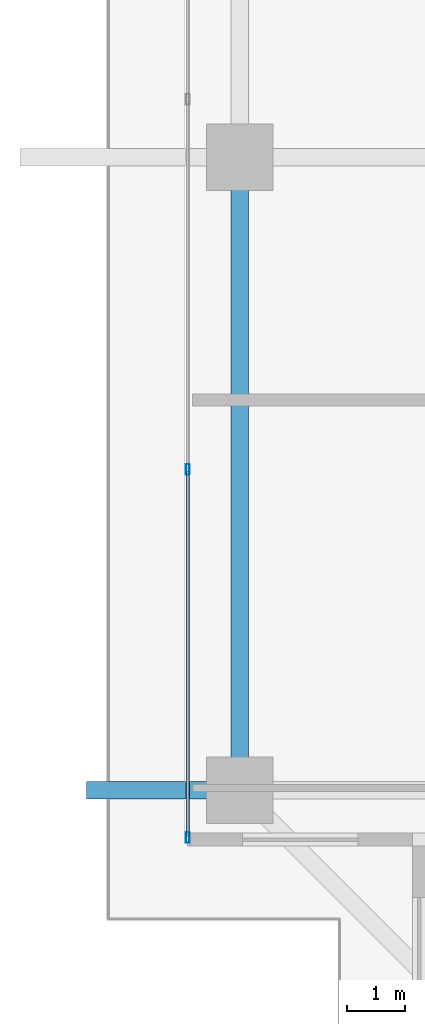
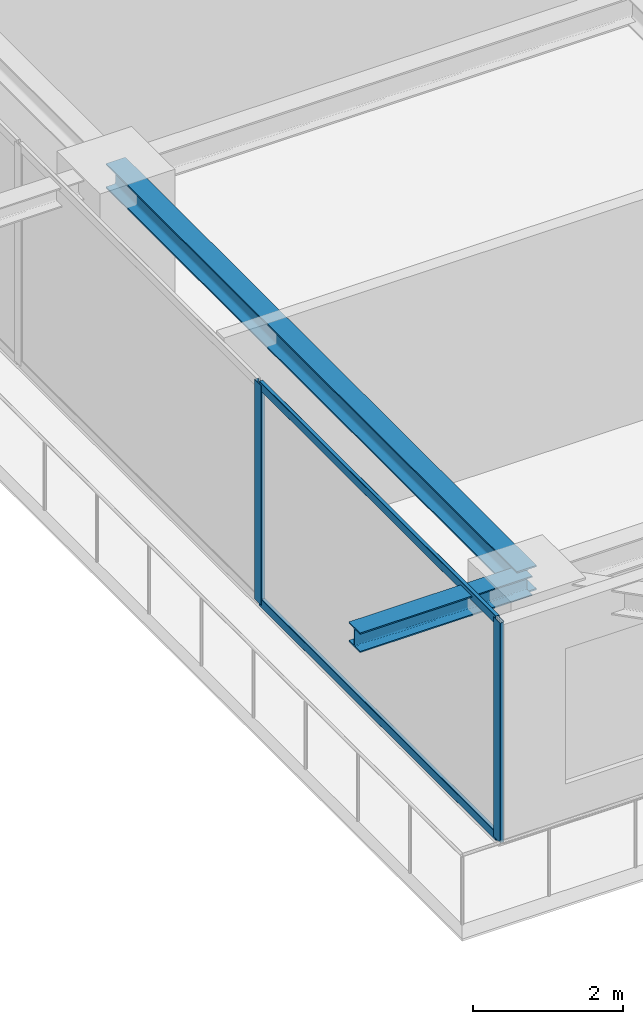
# One storey, part 3 of 38: 4 members, 2 beams, 1 element without a shape of its own.
"""IFC4 building model written with IfcOpenShell, lengths in metres."""

import ifcopenshell
import ifcopenshell.guid

model = None  # the IFC model being written
_history = None  # IfcOwnerHistory: only IFC2X3 demands one
_inside = {}  # id of a spatial element -> (the spatial element, [elements in it])
_under = {}  # id of a project, library or spatial element -> (it, [spatial elements below it])
_declared = {}  # id of a project -> (the project, [libraries it declares])
_typed = {}  # id of a type object -> (the type object, [elements of that type])
_made_of = {}  # id of a material, layer set ... -> (it, [elements and type objects made of it])


def new_model(schema):
    """Start an empty IFC model of exactly this schema.

    Asked for "IFC4X3", IfcOpenShell would pick the latest addendum, in which some entities
    have other attributes; the version numbers below select the first issue.
    IFC2X3 requires an IfcOwnerHistory on every rooted entity: one is made here for all.
    """
    global model, _history
    if schema == "IFC4X3":
        model = ifcopenshell.file(schema_version=(4, 3, 0, 0))
    else:
        model = ifcopenshell.file(schema=schema)
    _inside.clear()
    _under.clear()
    _declared.clear()
    _typed.clear()
    _made_of.clear()
    _history = None
    if model.schema == "IFC2X3":
        org = make("IfcOrganization", Name="unknown")
        user = make(
            "IfcPersonAndOrganization",
            ThePerson=make("IfcPerson", FamilyName="unknown"),
            TheOrganization=org,
        )
        app = make(
            "IfcApplication",
            ApplicationDeveloper=org,
            Version="unknown",
            ApplicationFullName="unknown",
            ApplicationIdentifier="unknown",
        )
        _history = make(
            "IfcOwnerHistory",
            OwningUser=user,
            OwningApplication=app,
            ChangeAction="ADDED",
            CreationDate=0,
        )
    return model


def make(cls, **values):
    """One entity of the class cls with the attributes given. An attribute that is None is left unset."""
    return model.create_entity(
        cls, **{name: value for name, value in values.items() if value is not None}
    )


def rooted(cls, **values):
    """An entity with a GlobalId (a new one), such as an element, a storey or a relation."""
    return make(cls, GlobalId=ifcopenshell.guid.new(), OwnerHistory=_history, **values)


def si_unit(unit_type, name, prefix=None):
    """IfcSIUnit, for example si_unit("LENGTHUNIT", "METRE", prefix="MILLI")."""
    return make("IfcSIUnit", UnitType=unit_type, Prefix=prefix, Name=name)


def assignment(units):
    """IfcUnitAssignment: the units of a project."""
    return None if units is None else make("IfcUnitAssignment", Units=units)


def point(xyz):
    """IfcCartesianPoint."""
    return None if xyz is None else make("IfcCartesianPoint", Coordinates=xyz)


def direction(xyz):
    """IfcDirection."""
    return None if xyz is None else make("IfcDirection", DirectionRatios=xyz)


def frame(location, z_axis=None, x_axis=None):
    """IfcAxis2Placement3D, a coordinate frame: its origin and axes. An axis left out is left unset."""
    return make(
        "IfcAxis2Placement3D",
        Location=point(location),
        Axis=direction(z_axis),
        RefDirection=direction(x_axis),
    )


def frame_2d(location, x_axis=None):
    """IfcAxis2Placement2D, a coordinate frame in the plane: its origin and x axis."""
    return make(
        "IfcAxis2Placement2D", Location=point(location), RefDirection=direction(x_axis)
    )


def origin():
    """The frame at (0, 0, 0) with its axes left unset."""
    return frame((0.0, 0.0, 0.0))


def origin_2d():
    """The frame at (0, 0) in the plane with its x axis left unset."""
    return frame_2d((0.0, 0.0))


def place(relative_to, where):
    """IfcLocalPlacement: puts the frame where relative to a parent placement (None: the world)."""
    return make(
        "IfcLocalPlacement", PlacementRelTo=relative_to, RelativePlacement=where
    )


def context(
    kind, dimensions, precision=None, world=None, true_north=None, identifier=None
):
    """IfcGeometricRepresentationContext, for example the 3D "Model" context."""
    return make(
        "IfcGeometricRepresentationContext",
        ContextIdentifier=identifier,
        ContextType=kind,
        CoordinateSpaceDimension=dimensions,
        Precision=precision,
        WorldCoordinateSystem=world,
        TrueNorth=true_north,
    )


def subcontext(parent, identifier, kind, view, scale=None):
    """IfcGeometricRepresentationSubContext, for example "Body" below "Model"."""
    return make(
        "IfcGeometricRepresentationSubContext",
        ContextIdentifier=identifier,
        ContextType=kind,
        ParentContext=parent,
        TargetScale=scale,
        TargetView=view,
    )


def project(units=None, contexts=None):
    """IfcProject with its units and contexts."""
    return rooted(
        "IfcProject",
        Name="project",
        RepresentationContexts=contexts,
        UnitsInContext=assignment(units),
    )


def spatial(cls, under=None, at=None, **own):
    """A site, building, storey or space (cls), placed at a placement, below another one or the project."""
    s = rooted(cls, ObjectPlacement=at, **own)
    if under is not None:
        _under.setdefault(under.id(), (under, []))[1].append(s)
    return s


def profile(cls, at=None, kind="AREA", **sizes):
    """A parametric profile (cls). Its sizes go by their IFC names, for example OverallWidth=200.0."""
    return make(cls, ProfileType=kind, Position=at, **sizes)


def hollow_rectangle(**sizes):
    """IfcRectangleHollowProfileDef."""
    return profile("IfcRectangleHollowProfileDef", **sizes)


def i_section(**sizes):
    """IfcIShapeProfileDef."""
    return profile("IfcIShapeProfileDef", **sizes)


def extrude(swept, where, along, depth):
    """IfcExtrudedAreaSolid: the profile swept, set in the frame where, extruded along a direction by depth."""
    return make(
        "IfcExtrudedAreaSolid",
        SweptArea=swept,
        Position=where,
        ExtrudedDirection=direction(along),
        Depth=depth,
    )


def shape(context_of_items, identifier, shape_type, items):
    """IfcShapeRepresentation: the items that make up one representation, for example the "Body"."""
    return make(
        "IfcShapeRepresentation",
        ContextOfItems=context_of_items,
        RepresentationIdentifier=identifier,
        RepresentationType=shape_type,
        Items=items,
    )


def source(mapping_origin, context_of_items, identifier, shape_type, items):
    """IfcRepresentationMap: a shape defined once, which mapped items show again and again."""
    return make(
        "IfcRepresentationMap",
        MappingOrigin=mapping_origin,
        MappedRepresentation=shape(context_of_items, identifier, shape_type, items),
    )


def transform(
    local_origin,
    x_axis=None,
    y_axis=None,
    z_axis=None,
    scale=None,
    scale2=None,
    scale3=None,
    uniform=True,
):
    """IfcCartesianTransformationOperator3D, or its non-uniform kind. x_axis, y_axis, z_axis: its Axis1, 2, 3."""
    if uniform:
        return make(
            "IfcCartesianTransformationOperator3D",
            Axis1=direction(x_axis),
            Axis2=direction(y_axis),
            LocalOrigin=point(local_origin),
            Scale=scale,
            Axis3=direction(z_axis),
        )
    return make(
        "IfcCartesianTransformationOperator3DnonUniform",
        Axis1=direction(x_axis),
        Axis2=direction(y_axis),
        LocalOrigin=point(local_origin),
        Scale=scale,
        Axis3=direction(z_axis),
        Scale2=scale2,
        Scale3=scale3,
    )


def mapped(mapping_source, mapping_target):
    """IfcMappedItem: shows the shape of a source again, moved by a transform."""
    return make(
        "IfcMappedItem", MappingSource=mapping_source, MappingTarget=mapping_target
    )


def material(Name=None, Category=None):
    """IfcMaterial."""
    return make("IfcMaterial", Name=Name, Category=Category)


def layer(
    of_material, thickness, ventilated=None, Name=None, Category=None, Priority=None
):
    """IfcMaterialLayer: one layer of a wall or slab, of a material (None: an air gap)."""
    return make(
        "IfcMaterialLayer",
        Material=of_material,
        LayerThickness=thickness,
        IsVentilated=ventilated,
        Name=Name,
        Category=Category,
        Priority=Priority,
    )


def layer_set(layers, Name=None):
    """IfcMaterialLayerSet."""
    return make("IfcMaterialLayerSet", MaterialLayers=layers, LayerSetName=Name)


def material_profile(
    of_material, cross_section, Name=None, Category=None, Priority=None
):
    """IfcMaterialProfile: a cross section and its material."""
    return make(
        "IfcMaterialProfile",
        Name=Name,
        Material=of_material,
        Profile=cross_section,
        Priority=Priority,
        Category=Category,
    )


def profile_set(profiles, Name=None, composite=None):
    """IfcMaterialProfileSet."""
    return make(
        "IfcMaterialProfileSet",
        Name=Name,
        MaterialProfiles=profiles,
        CompositeProfile=composite,
    )


def made_of(thing, what):
    """Note that an element or type object is made of a material, layer set ...; save() writes the relation."""
    if what is not None:
        _made_of.setdefault(what.id(), (what, []))[1].append(thing)
    return thing


def type_object(cls, material=None, **own):
    """A type object (cls), such as IfcWallType, which elements share."""
    return made_of(rooted(cls, **own), material)


def element(
    cls,
    number,
    at=None,
    inside=None,
    cuts=None,
    type_object=None,
    material=None,
    context=None,
    identifier="Body",
    shape_type=None,
    held_by="IfcProductDefinitionShape",
    body=None,
    shapes=None,
    **own,
):
    """One element of the class cls, such as IfcWall. Its Tag is "e" and its number.

    at: its placement. inside: the storey or other place that contains it. cuts: it is an
    opening in that element (IfcRelVoidsElement). A single representation is given by context,
    identifier, shape_type and body (its items); several are given by shapes. held_by: the class
    of the entity that holds the representations. save() writes the other relations.
    """
    e = rooted(cls, Tag="e%d" % number, ObjectPlacement=at, **own)
    if body is not None:
        shapes = [shape(context, identifier, shape_type, body)]
    if shapes is not None:
        e.Representation = make(held_by, Representations=shapes)
    if inside is not None:
        _inside.setdefault(inside.id(), (inside, []))[1].append(e)
    if cuts is not None:
        rooted(
            "IfcRelVoidsElement", RelatingBuildingElement=cuts, RelatedOpeningElement=e
        )
    if type_object is not None:
        _typed.setdefault(type_object.id(), (type_object, []))[1].append(e)
    return made_of(e, material)


def aggregate(whole, parts):
    """IfcRelAggregates: a whole, such as a stair, and the parts it consists of."""
    return rooted("IfcRelAggregates", RelatingObject=whole, RelatedObjects=parts)


def save(model, path):
    """Write the relations noted so far, then the file.

    IfcRelAggregates (storeys below a building ...), IfcRelContainedInSpatialStructure (elements
    in a storey), IfcRelDefinesByType, IfcRelAssociatesMaterial and IfcRelDeclares: one each for
    every whole, place, type object, material and project.
    """
    for whole, parts in _under.values():
        aggregate(whole, parts)
    for where, things in _inside.values():
        rooted(
            "IfcRelContainedInSpatialStructure",
            RelatedElements=things,
            RelatingStructure=where,
        )
    for kind, things in _typed.values():
        rooted("IfcRelDefinesByType", RelatedObjects=things, RelatingType=kind)
    for what, things in _made_of.values():
        rooted("IfcRelAssociatesMaterial", RelatedObjects=things, RelatingMaterial=what)
    for by, libraries in _declared.values():
        rooted("IfcRelDeclares", RelatingContext=by, RelatedDefinitions=libraries)
    model.write(path)


model = new_model("IFC4")

# Units and contexts
model_context = context("Model", 3, precision=1e-05, world=origin(), true_north=direction((0.0, 1.0)))
body_context = subcontext(model_context, "Body", "Model", "MODEL_VIEW")
ifc_project = project(units=[si_unit("LENGTHUNIT", "METRE"), si_unit("AREAUNIT", "SQUARE_METRE"), si_unit("VOLUMEUNIT", "CUBIC_METRE"), si_unit("PLANEANGLEUNIT", "RADIAN"), si_unit("MASSUNIT", "GRAM", prefix="KILO")], contexts=[model_context])

# Site, building, storey
site_placement = place(None, origin())
site = spatial("IfcSite", under=ifc_project, at=site_placement, CompositionType="ELEMENT")
building_placement = place(site_placement, origin())
building = spatial("IfcBuilding", under=site, at=building_placement, Name="Serunith Strait Residences", CompositionType="ELEMENT")
storey_placement = place(building_placement, frame((0.0, 0.0, 264.35009765625)))
storey = spatial("IfcBuildingStorey", under=building, at=storey_placement, Name="L66", CompositionType="ELEMENT", Elevation=264.35009765625)

# Beams
ifc_material_1 = material(Name="Steel S355J2", Category="steel")
ifc_material_profile_1 = material_profile(ifc_material_1, i_section(OverallWidth=0.300048828125, OverallDepth=0.39990234375, WebThickness=0.013427734375, FlangeThickness=0.02392578125, FilletRadius=0.027099609375, at=origin_2d()), Name="HEB 400")
ifc_profile_set_1 = profile_set([ifc_material_profile_1], Name="Steel S355J2")
beam_type_1 = type_object("IfcBeamType", Name="BM-HEB400", PredefinedType="BEAM", material=ifc_profile_set_1)
shared_shape_1 = source(origin(), body_context, "Body", "SweptSolid", [
    extrude(i_section(OverallWidth=0.300048828125, OverallDepth=0.39990234375, WebThickness=0.013427734375, FlangeThickness=0.02392578125, FilletRadius=0.027099609375, at=origin_2d()), origin(), (0.0, 0.0, 1.0), 10.949951171875),
])
beam_1_placement = place(storey_placement, frame((8.300048828125, 21.0, 3.386962890625), z_axis=(0.0, -1.0, 0.0), x_axis=(1.0, 0.0, 0.0)))
element("IfcBeam", 1, at=beam_1_placement, inside=storey, type_object=beam_type_1, Name="L66 Perimeter Ring Beam 15", PredefinedType="BEAM", context=body_context, shape_type="MappedRepresentation", body=[
    mapped(shared_shape_1, transform((0.0, 0.0, 0.0), scale=1.0)),
])
ifc_material_profile_2 = material_profile(ifc_material_1, i_section(OverallWidth=0.300048828125, OverallDepth=0.320068359375, WebThickness=0.011474609375, FlangeThickness=0.0205078125, FilletRadius=0.027099609375, at=origin_2d()), Name="HEB 320")
ifc_profile_set_2 = profile_set([ifc_material_profile_2], Name="Steel S355J2")
beam_type_2 = type_object("IfcBeamType", Name="BM-HEB320", PredefinedType="BEAM", material=ifc_profile_set_2)
shared_shape_2 = source(origin(), body_context, "Body", "SweptSolid", [
    extrude(i_section(OverallWidth=0.300048828125, OverallDepth=0.320068359375, WebThickness=0.011474609375, FlangeThickness=0.0205078125, FilletRadius=0.027099609375, at=origin_2d()), origin(), (0.0, 0.0, 1.0), 2.650390625),
])
beam_2_placement = place(storey_placement, frame((8.300048828125, 10.050048828125, 3.39697265625), z_axis=(-1.0, 0.0, 0.0), x_axis=(0.0, -1.0, 0.0)))
element("IfcBeam", 2, at=beam_2_placement, inside=storey, type_object=beam_type_2, Name="L67 Cantilevered Balcony Rib TC-W1", PredefinedType="BEAM", context=body_context, shape_type="MappedRepresentation", body=[
    mapped(shared_shape_2, transform((0.0, 0.0, 0.0), scale=1.0)),
])

# Curtain wall, members
ifc_material_2 = material(Name="Pale-Champagne Anodised Aluminium", Category="aluminium")
ifc_layer = layer(ifc_material_2, 0.199951171875, Name="Pale-Champagne Anodised Aluminium")
ifc_layer_set = layer_set([ifc_layer], Name="Pale-Champagne Anodised Aluminium")
curtain_wall_type = type_object("IfcCurtainWallType", Name="CW-SYS4", PredefinedType="NOTDEFINED", material=ifc_layer_set)
curtain_wall_placement = place(storey_placement, origin())
curtain_wall = element("IfcCurtainWall", 3, at=curtain_wall_placement, inside=storey, type_object=curtain_wall_type, Name="L66 W Unitised Fritted Curtain Wall", PredefinedType="NOTDEFINED")
ifc_material_profile_3 = material_profile(ifc_material_2, hollow_rectangle(XDim=0.06494140625, YDim=0.179931640625, WallThickness=0.00341796875, InnerFilletRadius=0.00537109375, OuterFilletRadius=0.0087890625, at=origin_2d()), Name="ALU 180x65x3.5")
ifc_profile_set_3 = profile_set([ifc_material_profile_3], Name="Pale-Champagne Anodised Aluminium")
member_type_1 = type_object("IfcMemberType", Name="CW-SYS4-MULL", PredefinedType="MULLION", material=ifc_profile_set_3)
shared_shape_3 = source(origin(), body_context, "Body", "SweptSolid", [
    extrude(hollow_rectangle(XDim=0.06494140625, YDim=0.179931640625, WallThickness=0.00341796875, InnerFilletRadius=0.00537109375, OuterFilletRadius=0.0087890625, at=origin_2d()), origin(), (0.0, 0.0, 1.0), 3.574951171875),
])
member_1_placement = place(storey_placement, frame((7.39990234375, 15.60009765625, 0.0), z_axis=(0.0, 0.0, 1.0), x_axis=(1.0, 0.0, 0.0)))
member_1 = element("IfcMember", 4, at=member_1_placement, type_object=member_type_1, Name="CW-4 mullion 5", PredefinedType="MULLION", context=body_context, shape_type="MappedRepresentation", body=[
    mapped(shared_shape_3, transform((0.0, 0.0, 0.0), scale=1.0)),
])
member_2_placement = place(storey_placement, frame((7.39990234375, 9.232421875, 0.0), z_axis=(0.0, 0.0, 1.0), x_axis=(1.0, 0.0, 0.0)))
member_2 = element("IfcMember", 5, at=member_2_placement, type_object=member_type_1, Name="CW-4 mullion 6", PredefinedType="MULLION", context=body_context, shape_type="MappedRepresentation", body=[
    mapped(shared_shape_3, transform((0.0, 0.0, 0.0), scale=1.0)),
])
ifc_material_profile_4 = material_profile(ifc_material_2, hollow_rectangle(XDim=0.06005859375, YDim=0.139892578125, WallThickness=0.00341796875, InnerFilletRadius=0.00537109375, OuterFilletRadius=0.0087890625, at=origin_2d()), Name="ALU 140x60x3.5")
ifc_profile_set_4 = profile_set([ifc_material_profile_4], Name="Pale-Champagne Anodised Aluminium")
member_type_2 = type_object("IfcMemberType", Name="CW-SYS4-TRAN", PredefinedType="USERDEFINED", material=ifc_profile_set_4)
shared_shape_4 = source(origin(), body_context, "Body", "SweptSolid", [
    extrude(hollow_rectangle(XDim=0.06005859375, YDim=0.139892578125, WallThickness=0.00341796875, InnerFilletRadius=0.00537109375, OuterFilletRadius=0.0087890625, at=origin_2d()), origin(), (0.0, 0.0, 1.0), 6.302490234375),
])
member_3_placement = place(storey_placement, frame((7.39990234375, 15.5673828125, 0.02978515625), z_axis=(0.0, -1.0, 0.0), x_axis=(1.0, 0.0, 0.0)))
member_3 = element("IfcMember", 6, at=member_3_placement, type_object=member_type_2, Name="CW-4 transom 5.1", ObjectType="TRANSOM", PredefinedType="USERDEFINED", context=body_context, shape_type="MappedRepresentation", body=[
    mapped(shared_shape_4, transform((0.0, 0.0, 0.0), scale=1.0)),
])
member_4_placement = place(storey_placement, frame((7.39990234375, 15.5673828125, 3.544921875), z_axis=(0.0, -1.0, 0.0), x_axis=(1.0, 0.0, 0.0)))
member_4 = element("IfcMember", 7, at=member_4_placement, type_object=member_type_2, Name="CW-4 transom 5.2", ObjectType="TRANSOM", PredefinedType="USERDEFINED", context=body_context, shape_type="MappedRepresentation", body=[
    mapped(shared_shape_4, transform((0.0, 0.0, 0.0), scale=1.0)),
])
aggregate(curtain_wall, [member_1, member_2, member_3, member_4])

save(model, "model.ifc")
